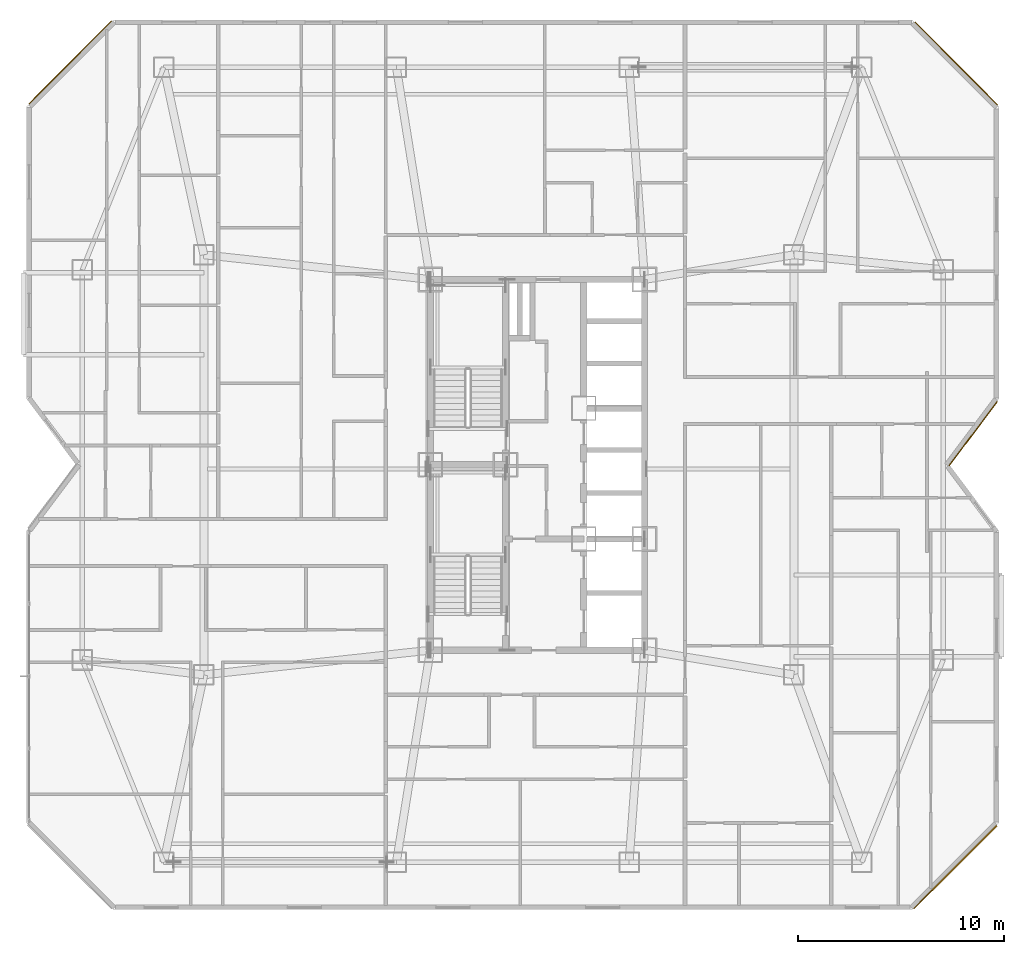
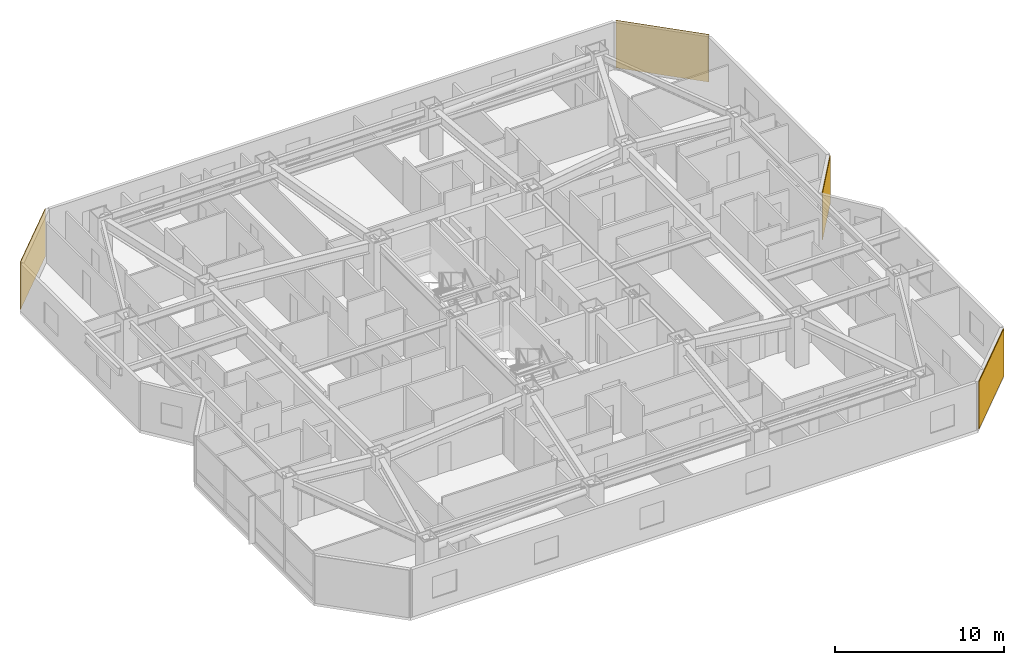
# One storey, part 19 of 19: 4 coverings.
"""IFC4 building model written with IfcOpenShell, lengths in metres."""

from ifc_helpers import new_model, si_unit, direction, frame, origin, origin_2d, place, context, subcontext, project, spatial, rectangle, extrude, material, layer, layer_set, type_object, element, save


model = new_model("IFC4")

# Units and contexts
model_context = context("Model", 3, precision=1e-05, world=origin(), true_north=direction((0.0, 1.0)))
body_context = subcontext(model_context, "Body", "Model", "MODEL_VIEW")
ifc_project = project(units=[si_unit("LENGTHUNIT", "METRE"), si_unit("AREAUNIT", "SQUARE_METRE"), si_unit("VOLUMEUNIT", "CUBIC_METRE"), si_unit("PLANEANGLEUNIT", "RADIAN"), si_unit("MASSUNIT", "GRAM", prefix="KILO")], contexts=[model_context])

# Site, building, storey
site_placement = place(None, origin())
site = spatial("IfcSite", under=ifc_project, at=site_placement, CompositionType="ELEMENT")
building_placement = place(site_placement, origin())
building = spatial("IfcBuilding", under=site, at=building_placement, Name="Khamvora Tower", CompositionType="ELEMENT")
storey_placement = place(building_placement, frame((0.0, 0.0, 120.14990234375)))
storey = spatial("IfcBuildingStorey", under=building, at=storey_placement, Name="L30", CompositionType="ELEMENT", Elevation=120.14990234375)

# Coverings
ifc_material_1 = material(Name="Pale Anodised Aluminium Rainscreen Panel", Category="aluminium")
ifc_layer_1 = layer(ifc_material_1, 0.044921875)
ifc_layer_set_1 = layer_set([ifc_layer_1], Name="Pale Anodised Aluminium Rainscreen Panel")
covering_type_1 = type_object("IfcCoveringType", Name="COV-CLD-ALU", PredefinedType="CLADDING", material=ifc_layer_set_1)
for number, where, z_axis, x_axis, name in (
    (1, (11.510986328125, 47.537109375, 0.0), (0.0, 0.0, 1.0), (0.707106781187, 0.707106781187, 0.0), "L30 chamfer rainscreen cladding 06.1"),
    (2, (54.537109375, 47.489013671875, 0.0), (0.0, 0.0, 1.0), (0.707106781187, -0.707106781187, 0.0), "L30 chamfer rainscreen cladding 08.1"),
):
    element("IfcCovering", number, at=place(storey_placement, frame(where, z_axis=z_axis, x_axis=x_axis)), inside=storey, type_object=covering_type_1, Name=name, PredefinedType="CLADDING", context=body_context, shape_type="SweptSolid", body=[
        extrude(rectangle(XDim=5.680908203125, YDim=0.044921875, at=origin_2d()), origin(), (0.0, 0.0, 1.0), 3.429931640625),
    ])
covering_1_placement = place(storey_placement, frame((55.361083984375, 29.51904296875, 0.0), z_axis=(0.0, 0.0, 1.0), x_axis=(-0.600120318085, -0.799909747298, 0.0)))
element("IfcCovering", 3, at=covering_1_placement, inside=storey, type_object=covering_type_1, Name="L30 chamfer rainscreen cladding 10.1", PredefinedType="CLADDING", context=body_context, shape_type="SweptSolid", body=[
    extrude(rectangle(XDim=3.888916015625, YDim=0.044921875, at=origin_2d()), origin(), (0.0, 0.0, 1.0), 3.429931640625),
])
ifc_material_2 = material(Name="Anodised Bronze Aluminium Spandrel Panel", Category="aluminium")
ifc_layer_2 = layer(ifc_material_2, 0.054931640625)
ifc_layer_set_2 = layer_set([ifc_layer_2], Name="Anodised Bronze Aluminium Spandrel Panel")
covering_type_2 = type_object("IfcCoveringType", Name="COV-CLD-BRZ", PredefinedType="CLADDING", material=ifc_layer_set_2)
covering_2_placement = place(storey_placement, frame((54.488037109375, 8.4619140625, 0.0), z_axis=(0.0, 0.0, 1.0), x_axis=(-0.707106781187, -0.707106781187, 0.0)))
element("IfcCovering", 4, at=covering_2_placement, inside=storey, type_object=covering_type_2, Name="L30 chamfer rainscreen cladding 13.1", PredefinedType="CLADDING", context=body_context, shape_type="SweptSolid", body=[
    extrude(rectangle(XDim=5.677978515625, YDim=0.054931640625, at=origin_2d()), origin(), (0.0, 0.0, 1.0), 3.429931640625),
])

save(model, "model.ifc")
